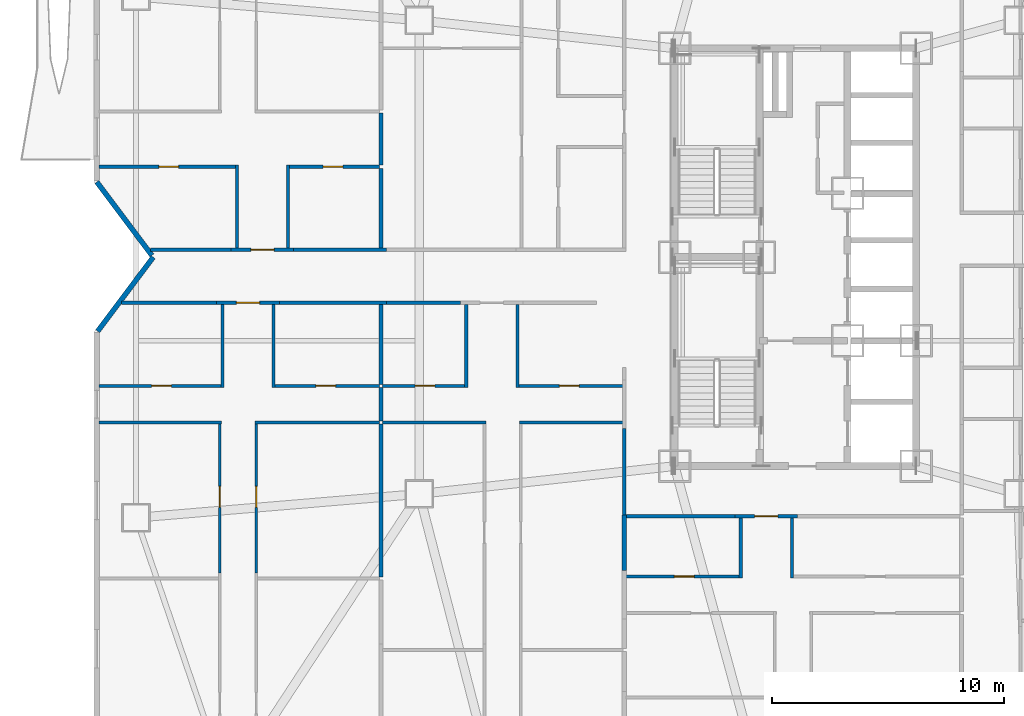
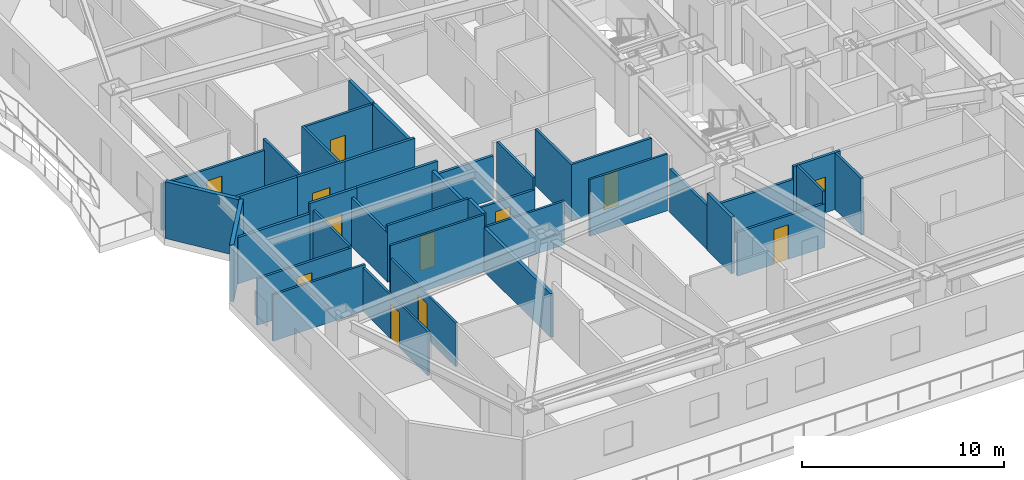
# One storey, part 10 of 18: 39 walls, 12 doors, 12 openings.
"""IFC4 building model written with IfcOpenShell, lengths in metres."""

from ifc_helpers import new_model, si_unit, direction, frame, frame_2d, origin, place, context, subcontext, project, spatial, rectangle, extrude, material, layer, layer_set, type_object, element, fill, save


model = new_model("IFC4")

# Units and contexts
model_context = context("Model", 3, precision=1e-05, world=origin(), true_north=direction((0.0, 1.0)))
body_context = subcontext(model_context, "Body", "Model", "MODEL_VIEW")
ifc_project = project(units=[si_unit("LENGTHUNIT", "METRE"), si_unit("AREAUNIT", "SQUARE_METRE"), si_unit("VOLUMEUNIT", "CUBIC_METRE"), si_unit("PLANEANGLEUNIT", "RADIAN"), si_unit("MASSUNIT", "GRAM", prefix="KILO")], contexts=[model_context])

# Site, building, storey
site_placement = place(None, origin())
site = spatial("IfcSite", under=ifc_project, at=site_placement, CompositionType="ELEMENT")
building_placement = place(site_placement, origin())
building = spatial("IfcBuilding", under=site, at=building_placement, Name="Khamvora Tower", CompositionType="ELEMENT")
storey_placement = place(building_placement, frame((0.0, 0.0, 33.300048828125)))
storey = spatial("IfcBuildingStorey", under=building, at=storey_placement, Name="L07", CompositionType="ELEMENT", Elevation=33.300048828125)

# Wall, opening, door
ifc_material_1 = material(Name="Fire-Rated Drywall and Steel Stud", Category="steel")
ifc_layer_1 = layer(ifc_material_1, 0.14990234375)
ifc_layer_set_1 = layer_set([ifc_layer_1], Name="Fire-Rated Drywall and Steel Stud")
wall_type_1 = type_object("IfcWallType", Name="WAL-CORR-150", PredefinedType="STANDARD", material=ifc_layer_set_1)
wall_1_placement = place(storey_placement, frame((11.97412109375, 26.034912109375, 0.0), z_axis=(0.0, 0.0, 1.0), x_axis=(-1.0, 0.0, 0.0)))
wall_1 = element("IfcWall", 1, at=wall_1_placement, inside=storey, type_object=wall_type_1, Name="L07 interior partition wall 004", PredefinedType="STANDARD", context=body_context, shape_type="SweptSolid", body=[
    extrude(rectangle(XDim=2.6982421875, YDim=0.14990234375, at=frame_2d((1.34912109375, 0.0))), origin(), (0.0, 0.0, 1.0), 3.429931640625),
])
opening_1_placement = place(wall_1_placement, frame((0.84912109375, 0.0, 0.0)))
opening_1 = element("IfcOpeningElement", 2, at=opening_1_placement, cuts=wall_1, Name="Opening D-U1", PredefinedType="OPENING", context=body_context, shape_type="SweptSolid", body=[
    extrude(rectangle(XDim=1.0, YDim=2.14990234375, at=frame_2d((0.5, 1.074951171875))), frame((0.0, 0.0849609375, 0.0), z_axis=(0.0, -1.0, 0.0), x_axis=(1.0, 0.0, 0.0)), (0.0, 0.0, 1.0), 0.169921875),
])
ifc_material_2 = material(Name="Powder-Coated Steel and Hardwood Leaf", Category="steel")
door_type_1 = type_object("IfcDoorType", Name="DOR-UNIT-1000", OperationType="NOTDEFINED", PredefinedType="DOOR", material=ifc_material_2)
door_1_placement = place(opening_1_placement, origin())
door_1 = element("IfcDoor", 3, at=door_1_placement, inside=storey, type_object=door_type_1, Name="L07 interior door COR-07WA1H", OperationType="SINGLE_SWING_RIGHT", OverallHeight=2.14990234375, OverallWidth=1.0, PredefinedType="DOOR", context=body_context, shape_type="SweptSolid", body=[
    extrude(rectangle(XDim=1.0, YDim=2.14990234375, at=frame_2d((0.5, 1.074951171875))), frame((0.0, 0.02490234375, 0.0), z_axis=(0.0, -1.0, 0.0), x_axis=(1.0, 0.0, 0.0)), (0.0, 0.0, 1.0), 0.050048828125),
])
fill(opening_1, door_1)

# Walls
wall_2_placement = place(storey_placement, frame((16.595947265625, 26.034912109375, 0.0), z_axis=(0.0, 0.0, 1.0), x_axis=(-1.0, 0.0, 0.0)))
element("IfcWall", 4, at=wall_2_placement, inside=storey, type_object=wall_type_1, Name="L07 interior partition wall 005", PredefinedType="STANDARD", context=body_context, shape_type="SweptSolid", body=[
    extrude(rectangle(XDim=4.621826171875, YDim=0.14990234375, at=frame_2d((2.31103515625, 0.0))), origin(), (0.0, 0.0, 1.0), 3.429931640625),
])
wall_3_placement = place(storey_placement, frame((9.27587890625, 26.034912109375, 0.0), z_axis=(0.0, 0.0, 1.0), x_axis=(-1.0, 0.0, 0.0)))
element("IfcWall", 5, at=wall_3_placement, inside=storey, type_object=wall_type_1, Name="L07 interior partition wall 006", PredefinedType="STANDARD", context=body_context, shape_type="SweptSolid", body=[
    extrude(rectangle(XDim=4.099853515625, YDim=0.14990234375, at=frame_2d((2.0498046875, 0.0))), origin(), (0.0, 0.0, 1.0), 2.802978515625),
])
wall_4_placement = place(storey_placement, frame((19.777099609375, 26.034912109375, 0.0), z_axis=(0.0, 0.0, 1.0), x_axis=(-1.0, 0.0, 0.0)))
element("IfcWall", 6, at=wall_4_placement, inside=storey, type_object=wall_type_1, Name="L07 interior partition wall 009", PredefinedType="STANDARD", context=body_context, shape_type="SweptSolid", body=[
    extrude(rectangle(XDim=3.18115234375, YDim=0.14990234375, at=frame_2d((1.590576171875, 0.0))), origin(), (0.0, 0.0, 1.0), 2.64697265625),
])
wall_5_placement = place(storey_placement, frame((26.8349609375, 16.89990234375, 0.0), z_axis=(0.0, 0.0, 1.0), x_axis=(0.0, 1.0, 0.0)))
element("IfcWall", 7, at=wall_5_placement, inside=storey, type_object=wall_type_1, Name="L07 interior partition wall 012", PredefinedType="STANDARD", context=body_context, shape_type="SweptSolid", body=[
    extrude(rectangle(XDim=3.72607421875, YDim=0.14990234375, at=frame_2d((1.863037109375, 0.0))), origin(), (0.0, 0.0, 1.0), 2.64697265625),
])

# Wall, opening, door
wall_6_placement = place(storey_placement, frame((9.89501953125, 28.31494140625, 0.0), z_axis=(0.0, 0.0, 1.0), x_axis=(1.0, 0.0, 0.0)))
wall_6 = element("IfcWall", 8, at=wall_6_placement, inside=storey, type_object=wall_type_1, Name="L07 interior partition wall 013", PredefinedType="STANDARD", context=body_context, shape_type="SweptSolid", body=[
    extrude(rectangle(XDim=2.697998046875, YDim=0.14990234375, at=frame_2d((1.34912109375, 0.0))), origin(), (0.0, 0.0, 1.0), 3.429931640625),
])
opening_2_placement = place(wall_6_placement, frame((0.84912109375, 0.0, 0.0)))
opening_2 = element("IfcOpeningElement", 9, at=opening_2_placement, cuts=wall_6, Name="Opening D-U1", PredefinedType="OPENING", context=body_context, shape_type="SweptSolid", body=[
    extrude(rectangle(XDim=1.0, YDim=2.14990234375, at=frame_2d((0.5, 1.074951171875))), frame((0.0, 0.0849609375, 0.0), z_axis=(0.0, -1.0, 0.0), x_axis=(1.0, 0.0, 0.0)), (0.0, 0.0, 1.0), 0.169921875),
])
door_2_placement = place(opening_2_placement, origin())
door_2 = element("IfcDoor", 10, at=door_2_placement, inside=storey, type_object=door_type_1, Name="L07 interior door COR-07WB1H", OperationType="SINGLE_SWING_RIGHT", OverallHeight=2.14990234375, OverallWidth=1.0, PredefinedType="DOOR", context=body_context, shape_type="SweptSolid", body=[
    extrude(rectangle(XDim=1.0, YDim=2.14990234375, at=frame_2d((0.5, 1.074951171875))), frame((0.0, 0.02490234375, 0.0), z_axis=(0.0, -1.0, 0.0), x_axis=(1.0, 0.0, 0.0)), (0.0, 0.0, 1.0), 0.050048828125),
])
fill(opening_2, door_2)

# Walls
wall_7_placement = place(storey_placement, frame((12.593017578125, 28.31494140625, 0.0), z_axis=(0.0, 0.0, 1.0), x_axis=(1.0, 0.0, 0.0)))
element("IfcWall", 11, at=wall_7_placement, inside=storey, type_object=wall_type_1, Name="L07 interior partition wall 014", PredefinedType="STANDARD", context=body_context, shape_type="SweptSolid", body=[
    extrude(rectangle(XDim=4.0029296875, YDim=0.14990234375, at=frame_2d((2.00146484375, 0.0))), origin(), (0.0, 0.0, 1.0), 3.429931640625),
])
wall_8_placement = place(storey_placement, frame((6.4130859375, 28.31494140625, 0.0), z_axis=(0.0, 0.0, 1.0), x_axis=(1.0, 0.0, 0.0)))
element("IfcWall", 12, at=wall_8_placement, inside=storey, type_object=wall_type_1, Name="L07 interior partition wall 015", PredefinedType="STANDARD", context=body_context, shape_type="SweptSolid", body=[
    extrude(rectangle(XDim=3.48193359375, YDim=0.14990234375, at=frame_2d((1.740966796875, 0.0))), origin(), (0.0, 0.0, 1.0), 3.429931640625),
])

# Wall, opening, door
wall_9_placement = place(storey_placement, frame((34.299072265625, 16.8349609375, 0.0), z_axis=(0.0, 0.0, 1.0), x_axis=(-1.0, 0.0, 0.0)))
wall_9 = element("IfcWall", 13, at=wall_9_placement, inside=storey, type_object=wall_type_1, Name="L07 interior partition wall 022", PredefinedType="STANDARD", context=body_context, shape_type="SweptSolid", body=[
    extrude(rectangle(XDim=2.697998046875, YDim=0.14990234375, at=frame_2d((1.34912109375, 0.0))), origin(), (0.0, 0.0, 1.0), 3.429931640625),
])
opening_3_placement = place(wall_9_placement, frame((0.84912109375, 0.0, 0.0)))
opening_3 = element("IfcOpeningElement", 14, at=opening_3_placement, cuts=wall_9, Name="Opening D-U1", PredefinedType="OPENING", context=body_context, shape_type="SweptSolid", body=[
    extrude(rectangle(XDim=1.0, YDim=2.14990234375, at=frame_2d((0.5, 1.074951171875))), frame((0.0, 0.0849609375, 0.0), z_axis=(0.0, -1.0, 0.0), x_axis=(1.0, 0.0, 0.0)), (0.0, 0.0, 1.0), 0.169921875),
])
door_3_placement = place(opening_3_placement, origin())
door_3 = element("IfcDoor", 15, at=door_3_placement, inside=storey, type_object=door_type_1, Name="L07 interior door COR-07SAH", OperationType="SINGLE_SWING_RIGHT", OverallHeight=2.14990234375, OverallWidth=1.0, PredefinedType="DOOR", context=body_context, shape_type="SweptSolid", body=[
    extrude(rectangle(XDim=1.0, YDim=2.14990234375, at=frame_2d((0.5, 1.074951171875))), frame((0.0, 0.02490234375, 0.0), z_axis=(0.0, -1.0, 0.0), x_axis=(1.0, 0.0, 0.0)), (0.0, 0.0, 1.0), 0.050048828125),
])
fill(opening_3, door_3)

# Walls
wall_10_placement = place(storey_placement, frame((31.60107421875, 16.8349609375, 0.0), z_axis=(0.0, 0.0, 1.0), x_axis=(-1.0, 0.0, 0.0)))
element("IfcWall", 16, at=wall_10_placement, inside=storey, type_object=wall_type_1, Name="L07 interior partition wall 023", PredefinedType="STANDARD", context=body_context, shape_type="SweptSolid", body=[
    extrude(rectangle(XDim=4.701171875, YDim=0.14990234375, at=frame_2d((2.3505859375, 0.0))), origin(), (0.0, 0.0, 1.0), 2.64697265625),
])
ifc_material_3 = material(Name="Acoustic Double-Stud Fire Wall", Category="gypsum")
ifc_layer_2 = layer(ifc_material_3, 0.179931640625)
ifc_layer_set_2 = layer_set([ifc_layer_2], Name="Acoustic Double-Stud Fire Wall")
wall_type_2 = type_object("IfcWallType", Name="WAL-CORR-180", PredefinedType="STANDARD", material=ifc_layer_set_2)
wall_11_placement = place(storey_placement, frame((16.345947265625, 22.389892578125, 0.0), z_axis=(0.0, 0.0, 1.0), x_axis=(0.0, -1.0, 0.0)))
element("IfcWall", 17, at=wall_11_placement, inside=storey, type_object=wall_type_2, Name="L07 interior partition wall 049", PredefinedType="STANDARD", context=body_context, shape_type="SweptSolid", body=[
    extrude(rectangle(XDim=1.449951171875, YDim=0.179931640625, at=frame_2d((0.72509765625, 0.0))), origin(), (0.0, 0.0, 1.0), 3.429931640625),
])
wall_12_placement = place(storey_placement, frame((16.345947265625, 25.969970703125, 0.0), z_axis=(0.0, 0.0, 1.0), x_axis=(0.0, -1.0, 0.0)))
element("IfcWall", 18, at=wall_12_placement, inside=storey, type_object=wall_type_2, Name="L07 interior partition wall 050", PredefinedType="STANDARD", context=body_context, shape_type="SweptSolid", body=[
    extrude(rectangle(XDim=3.449951171875, YDim=0.179931640625, at=frame_2d((1.72509765625, 0.0))), origin(), (0.0, 0.0, 1.0), 2.95703125),
])
wall_13_placement = place(storey_placement, frame((16.345947265625, 20.81005859375, 0.0), z_axis=(0.0, 0.0, 1.0), x_axis=(0.0, -1.0, 0.0)))
element("IfcWall", 19, at=wall_13_placement, inside=storey, type_object=wall_type_2, Name="L07 interior partition wall 055", PredefinedType="STANDARD", context=body_context, shape_type="SweptSolid", body=[
    extrude(rectangle(XDim=6.589111328125, YDim=0.179931640625, at=frame_2d((3.29443359375, 0.0))), origin(), (0.0, 0.0, 1.0), 2.64697265625),
])
wall_14_placement = place(storey_placement, frame((26.8349609375, 16.89990234375, 0.0), z_axis=(0.0, 0.0, 1.0), x_axis=(0.0, -1.0, 0.0)))
element("IfcWall", 20, at=wall_14_placement, inside=storey, type_object=wall_type_2, Name="L07 interior partition wall 071", PredefinedType="STANDARD", context=body_context, shape_type="SweptSolid", body=[
    extrude(rectangle(XDim=2.40478515625, YDim=0.179931640625, at=frame_2d((1.202392578125, 0.0))), origin(), (0.0, 0.0, 1.0), 3.429931640625),
])
wall_15_placement = place(storey_placement, frame((16.345947265625, 34.2099609375, 0.0), z_axis=(0.0, 0.0, 1.0), x_axis=(0.0, -1.0, 0.0)))
element("IfcWall", 21, at=wall_15_placement, inside=storey, type_object=wall_type_2, Name="L07 interior partition wall 083", PredefinedType="STANDARD", context=body_context, shape_type="SweptSolid", body=[
    extrude(rectangle(XDim=2.25, YDim=0.179931640625, at=frame_2d((1.125, 0.0))), origin(), (0.0, 0.0, 1.0), 3.429931640625),
])
wall_16_placement = place(storey_placement, frame((16.345947265625, 31.830078125, 0.0), z_axis=(0.0, 0.0, 1.0), x_axis=(0.0, -1.0, 0.0)))
element("IfcWall", 22, at=wall_16_placement, inside=storey, type_object=wall_type_2, Name="L07 interior partition wall 084", PredefinedType="STANDARD", context=body_context, shape_type="SweptSolid", body=[
    extrude(rectangle(XDim=3.447998046875, YDim=0.179931640625, at=frame_2d((1.72412109375, 0.0))), origin(), (0.0, 0.0, 1.0), 3.429931640625),
])
ifc_material_4 = material(Name="Precast concrete C40/50", Category="concrete")
ifc_layer_3 = layer(ifc_material_4, 0.219970703125)
ifc_layer_set_3 = layer_set([ifc_layer_3], Name="Precast concrete C40/50")
wall_type_3 = type_object("IfcWallType", Name="WAL-EXT-220", PredefinedType="STANDARD", material=ifc_layer_set_3)
wall_17_placement = place(storey_placement, frame((4.14501953125, 24.80908203125, 0.0), z_axis=(0.0, 0.0, 1.0), x_axis=(0.599823674734, 0.800132213592, 0.0)))
element("IfcWall", 23, at=wall_17_placement, inside=storey, type_object=wall_type_3, Name="L07 exterior facade wall 03.1", PredefinedType="STANDARD", context=body_context, shape_type="SweptSolid", body=[
    extrude(rectangle(XDim=3.988037109375, YDim=0.219970703125, at=frame_2d((1.994140625, 0.0))), origin(), (0.0, 0.0, 1.0), 3.429931640625),
])
wall_18_placement = place(storey_placement, frame((6.47998046875, 28.076904296875, 0.0), z_axis=(0.0, 0.0, 1.0), x_axis=(-0.599960442794, 0.800029666377, 0.0)))
element("IfcWall", 24, at=wall_18_placement, inside=storey, type_object=wall_type_3, Name="L07 exterior facade wall 04.1", PredefinedType="STANDARD", context=body_context, shape_type="SweptSolid", body=[
    extrude(rectangle(XDim=3.949951171875, YDim=0.219970703125, at=frame_2d((1.97509765625, 0.0))), origin(), (0.0, 0.0, 1.0), 3.429931640625),
])

# Wall, opening, door
ifc_material_5 = material(Name="Gypsum Plasterboard Partition", Category="gypsum")
ifc_layer_4 = layer(ifc_material_5, 0.1201171875)
ifc_layer_set_4 = layer_set([ifc_layer_4], Name="Gypsum Plasterboard Partition")
wall_type_4 = type_object("IfcWallType", Name="WAL-PART-120", PredefinedType="PARTITIONING", material=ifc_layer_set_4)
wall_19_placement = place(storey_placement, frame((9.410888671875, 14.405029296875, 0.0), z_axis=(0.0, 0.0, 1.0), x_axis=(0.0, 1.0, 0.0)))
wall_19 = element("IfcWall", 25, at=wall_19_placement, inside=storey, type_object=wall_type_4, Name="L07 interior partition wall 044", PredefinedType="PARTITIONING", context=body_context, shape_type="SweptSolid", body=[
    extrude(rectangle(XDim=6.534912109375, YDim=0.1201171875, at=frame_2d((3.267578125, 0.0))), origin(), (0.0, 0.0, 1.0), 2.64697265625),
])
opening_4_placement = place(wall_19_placement, frame((2.81689453125, 0.0, 0.0)))
opening_4 = element("IfcOpeningElement", 26, at=opening_4_placement, cuts=wall_19, Name="Opening D-RM1", PredefinedType="OPENING", context=body_context, shape_type="SweptSolid", body=[
    extrude(rectangle(XDim=0.89990234375, YDim=2.10009765625, at=frame_2d((0.449951171875, 1.050048828125))), frame((0.0, 0.070068359375, 0.0), z_axis=(0.0, -1.0, 0.0), x_axis=(1.0, 0.0, 0.0)), (0.0, 0.0, 1.0), 0.14013671875),
])
door_type_2 = type_object("IfcDoorType", Name="DOR-ROOM-900", OperationType="NOTDEFINED", PredefinedType="DOOR", material=ifc_material_2)
door_4_placement = place(opening_4_placement, origin())
door_4 = element("IfcDoor", 27, at=door_4_placement, inside=storey, type_object=door_type_2, Name="L07 interior door 07WA1H-07WA1R2", OperationType="SINGLE_SWING_LEFT", OverallHeight=2.10009765625, OverallWidth=0.89990234375, PredefinedType="DOOR", context=body_context, shape_type="SweptSolid", body=[
    extrude(rectangle(XDim=0.89990234375, YDim=2.10009765625, at=frame_2d((0.449951171875, 1.050048828125))), frame((0.0, 0.02490234375, 0.0), z_axis=(0.0, -1.0, 0.0), x_axis=(1.0, 0.0, 0.0)), (0.0, 0.0, 1.0), 0.050048828125),
])
fill(opening_4, door_4)

# Wall
wall_20_placement = place(storey_placement, frame((9.47607421875, 20.875, 0.0), z_axis=(0.0, 0.0, 1.0), x_axis=(-1.0, 0.0, 0.0)))
element("IfcWall", 28, at=wall_20_placement, inside=storey, type_object=wall_type_4, Name="L07 interior partition wall 045", PredefinedType="PARTITIONING", context=body_context, shape_type="SweptSolid", body=[
    extrude(rectangle(XDim=5.26416015625, YDim=0.1201171875, at=frame_2d((2.632080078125, 0.0))), origin(), (0.0, 0.0, 1.0), 2.802978515625),
])

# Wall, opening, door
wall_21_placement = place(storey_placement, frame((10.98095703125, 20.93994140625, 0.0), z_axis=(0.0, 0.0, 1.0), x_axis=(0.0, -1.0, 0.0)))
wall_21 = element("IfcWall", 29, at=wall_21_placement, inside=storey, type_object=wall_type_4, Name="L07 interior partition wall 047", PredefinedType="PARTITIONING", context=body_context, shape_type="SweptSolid", body=[
    extrude(rectangle(XDim=6.534912109375, YDim=0.1201171875, at=frame_2d((3.267578125, 0.0))), origin(), (0.0, 0.0, 1.0), 2.64697265625),
])
opening_5_placement = place(wall_21_placement, frame((2.81689453125, 0.0, 0.0)))
opening_5 = element("IfcOpeningElement", 30, at=opening_5_placement, cuts=wall_21, Name="Opening D-RM1", PredefinedType="OPENING", context=body_context, shape_type="SweptSolid", body=[
    extrude(rectangle(XDim=0.89990234375, YDim=2.10009765625, at=frame_2d((0.449951171875, 1.050048828125))), frame((0.0, 0.070068359375, 0.0), z_axis=(0.0, -1.0, 0.0), x_axis=(1.0, 0.0, 0.0)), (0.0, 0.0, 1.0), 0.14013671875),
])
door_5_placement = place(opening_5_placement, origin())
door_5 = element("IfcDoor", 31, at=door_5_placement, inside=storey, type_object=door_type_2, Name="L07 interior door 07WA1H-07WA1R4", OperationType="SINGLE_SWING_LEFT", OverallHeight=2.10009765625, OverallWidth=0.89990234375, PredefinedType="DOOR", context=body_context, shape_type="SweptSolid", body=[
    extrude(rectangle(XDim=0.89990234375, YDim=2.10009765625, at=frame_2d((0.449951171875, 1.050048828125))), frame((0.0, 0.02490234375, 0.0), z_axis=(0.0, -1.0, 0.0), x_axis=(1.0, 0.0, 0.0)), (0.0, 0.0, 1.0), 0.050048828125),
])
fill(opening_5, door_5)

# Walls
wall_22_placement = place(storey_placement, frame((16.281005859375, 20.875, 0.0), z_axis=(0.0, 0.0, 1.0), x_axis=(-1.0, 0.0, 0.0)))
element("IfcWall", 32, at=wall_22_placement, inside=storey, type_object=wall_type_4, Name="L07 interior partition wall 048", PredefinedType="PARTITIONING", context=body_context, shape_type="SweptSolid", body=[
    extrude(rectangle(XDim=5.364990234375, YDim=0.1201171875, at=frame_2d((2.6826171875, 0.0))), origin(), (0.0, 0.0, 1.0), 3.429931640625),
])
wall_23_placement = place(storey_placement, frame((20.87109375, 20.875, 0.0), z_axis=(0.0, 0.0, 1.0), x_axis=(-1.0, 0.0, 0.0)))
element("IfcWall", 33, at=wall_23_placement, inside=storey, type_object=wall_type_4, Name="L07 interior partition wall 062", PredefinedType="PARTITIONING", context=body_context, shape_type="SweptSolid", body=[
    extrude(rectangle(XDim=4.460205078125, YDim=0.1201171875, at=frame_2d((2.22998046875, 0.0))), origin(), (0.0, 0.0, 1.0), 2.64697265625),
])
wall_24_placement = place(storey_placement, frame((26.77001953125, 20.875, 0.0), z_axis=(0.0, 0.0, 1.0), x_axis=(-1.0, 0.0, 0.0)))
element("IfcWall", 34, at=wall_24_placement, inside=storey, type_object=wall_type_4, Name="L07 interior partition wall 064", PredefinedType="PARTITIONING", context=body_context, shape_type="SweptSolid", body=[
    extrude(rectangle(XDim=4.458984375, YDim=0.1201171875, at=frame_2d((2.2294921875, 0.0))), origin(), (0.0, 0.0, 1.0), 3.429931640625),
])
ifc_material_6 = material(Name="Moisture-Resistant Plasterboard Partition", Category="gypsum")
ifc_layer_5 = layer(ifc_material_6, 0.135009765625)
ifc_layer_set_5 = layer_set([ifc_layer_5], Name="Moisture-Resistant Plasterboard Partition")
wall_type_5 = type_object("IfcWallType", Name="WAL-WET-135", PredefinedType="PARTITIONING", material=ifc_layer_set_5)
wall_25_placement = place(storey_placement, frame((11.72509765625, 25.969970703125, 0.0), z_axis=(0.0, 0.0, 1.0), x_axis=(0.0, -1.0, 0.0)))
element("IfcWall", 35, at=wall_25_placement, inside=storey, type_object=wall_type_5, Name="L07 interior partition wall 039", PredefinedType="PARTITIONING", context=body_context, shape_type="SweptSolid", body=[
    extrude(rectangle(XDim=3.580078125, YDim=0.135009765625, at=frame_2d((1.7900390625, 0.0))), origin(), (0.0, 0.0, 1.0), 2.95703125),
])

# Wall, opening, door
wall_26_placement = place(storey_placement, frame((11.659912109375, 22.455078125, 0.0), z_axis=(0.0, 0.0, 1.0), x_axis=(1.0, 0.0, 0.0)))
wall_26 = element("IfcWall", 36, at=wall_26_placement, inside=storey, type_object=wall_type_5, Name="L07 interior partition wall 040", PredefinedType="PARTITIONING", context=body_context, shape_type="SweptSolid", body=[
    extrude(rectangle(XDim=4.62109375, YDim=0.135009765625, at=frame_2d((2.310546875, 0.0))), origin(), (0.0, 0.0, 1.0), 3.429931640625),
])
opening_6_placement = place(wall_26_placement, frame((1.885986328125, 0.0, 0.0)))
opening_6 = element("IfcOpeningElement", 37, at=opening_6_placement, cuts=wall_26, Name="Opening D-WC1", PredefinedType="OPENING", context=body_context, shape_type="SweptSolid", body=[
    extrude(rectangle(XDim=0.85009765625, YDim=2.10009765625, at=frame_2d((0.425048828125, 1.050048828125))), frame((0.0, 0.077392578125, 0.0), z_axis=(0.0, -1.0, 0.0), x_axis=(1.0, 0.0, 0.0)), (0.0, 0.0, 1.0), 0.155029296875),
])
door_type_3 = type_object("IfcDoorType", Name="DOR-WET-850", OperationType="NOTDEFINED", PredefinedType="DOOR", material=ifc_material_2)
door_6_placement = place(opening_6_placement, origin())
door_6 = element("IfcDoor", 38, at=door_6_placement, inside=storey, type_object=door_type_3, Name="L07 interior door 07WA1H-07WA1B", OperationType="SINGLE_SWING_RIGHT", OverallHeight=2.10009765625, OverallWidth=0.85009765625, PredefinedType="DOOR", context=body_context, shape_type="SweptSolid", body=[
    extrude(rectangle(XDim=0.85009765625, YDim=2.10009765625, at=frame_2d((0.425048828125, 1.050048828125))), frame((0.0, 0.02490234375, 0.0), z_axis=(0.0, -1.0, 0.0), x_axis=(1.0, 0.0, 0.0)), (0.0, 0.0, 1.0), 0.050048828125),
])
fill(opening_6, door_6)

wall_27_placement = place(storey_placement, frame((4.2119140625, 22.455078125, 0.0), z_axis=(0.0, 0.0, 1.0), x_axis=(1.0, 0.0, 0.0)))
wall_27 = element("IfcWall", 39, at=wall_27_placement, inside=storey, type_object=wall_type_5, Name="L07 interior partition wall 041", PredefinedType="PARTITIONING", context=body_context, shape_type="SweptSolid", body=[
    extrude(rectangle(XDim=5.378173828125, YDim=0.135009765625, at=frame_2d((2.68896484375, 0.0))), origin(), (0.0, 0.0, 1.0), 2.802978515625),
])
opening_7_placement = place(wall_27_placement, frame((2.263916015625, 0.0, 0.0)))
opening_7 = element("IfcOpeningElement", 40, at=opening_7_placement, cuts=wall_27, Name="Opening D-RM2", PredefinedType="OPENING", context=body_context, shape_type="SweptSolid", body=[
    extrude(rectangle(XDim=0.85009765625, YDim=2.10009765625, at=frame_2d((0.425048828125, 1.050048828125))), frame((0.0, 0.077392578125, 0.0), z_axis=(0.0, -1.0, 0.0), x_axis=(1.0, 0.0, 0.0)), (0.0, 0.0, 1.0), 0.155029296875),
])
door_type_4 = type_object("IfcDoorType", Name="DOR-ROOM-850", OperationType="NOTDEFINED", PredefinedType="DOOR", material=ifc_material_2)
door_7_placement = place(opening_7_placement, origin())
door_7 = element("IfcDoor", 41, at=door_7_placement, inside=storey, type_object=door_type_4, Name="L07 interior door 07WA1H-07WA1K", OperationType="SINGLE_SWING_LEFT", OverallHeight=2.10009765625, OverallWidth=0.85009765625, PredefinedType="DOOR", context=body_context, shape_type="SweptSolid", body=[
    extrude(rectangle(XDim=0.85009765625, YDim=2.10009765625, at=frame_2d((0.425048828125, 1.050048828125))), frame((0.0, 0.02490234375, 0.0), z_axis=(0.0, -1.0, 0.0), x_axis=(1.0, 0.0, 0.0)), (0.0, 0.0, 1.0), 0.050048828125),
])
fill(opening_7, door_7)

# Wall
wall_28_placement = place(storey_placement, frame((9.52490234375, 22.389892578125, 0.0), z_axis=(0.0, 0.0, 1.0), x_axis=(0.0, 1.0, 0.0)))
element("IfcWall", 42, at=wall_28_placement, inside=storey, type_object=wall_type_5, Name="L07 interior partition wall 042", PredefinedType="PARTITIONING", context=body_context, shape_type="SweptSolid", body=[
    extrude(rectangle(XDim=3.580078125, YDim=0.135009765625, at=frame_2d((1.7900390625, 0.0))), origin(), (0.0, 0.0, 1.0), 2.95703125),
])

# Wall, opening, door
wall_29_placement = place(storey_placement, frame((16.410888671875, 22.455078125, 0.0), z_axis=(0.0, 0.0, 1.0), x_axis=(1.0, 0.0, 0.0)))
wall_29 = element("IfcWall", 43, at=wall_29_placement, inside=storey, type_object=wall_type_5, Name="L07 interior partition wall 056", PredefinedType="PARTITIONING", context=body_context, shape_type="SweptSolid", body=[
    extrude(rectangle(XDim=3.68017578125, YDim=0.135009765625, at=frame_2d((1.840087890625, 0.0))), origin(), (0.0, 0.0, 1.0), 2.64697265625),
])
opening_8_placement = place(wall_29_placement, frame((1.4150390625, 0.0, 0.0)))
opening_8 = element("IfcOpeningElement", 44, at=opening_8_placement, cuts=wall_29, Name="Opening D-WC1", PredefinedType="OPENING", context=body_context, shape_type="SweptSolid", body=[
    extrude(rectangle(XDim=0.85009765625, YDim=2.10009765625, at=frame_2d((0.425048828125, 1.050048828125))), frame((0.0, 0.077392578125, 0.0), z_axis=(0.0, -1.0, 0.0), x_axis=(1.0, 0.0, 0.0)), (0.0, 0.0, 1.0), 0.155029296875),
])
door_8_placement = place(opening_8_placement, origin())
door_8 = element("IfcDoor", 45, at=door_8_placement, inside=storey, type_object=door_type_3, Name="L07 interior door 07WA2H-07WA2B", OperationType="SINGLE_SWING_RIGHT", OverallHeight=2.10009765625, OverallWidth=0.85009765625, PredefinedType="DOOR", context=body_context, shape_type="SweptSolid", body=[
    extrude(rectangle(XDim=0.85009765625, YDim=2.10009765625, at=frame_2d((0.425048828125, 1.050048828125))), frame((0.0, 0.02490234375, 0.0), z_axis=(0.0, -1.0, 0.0), x_axis=(1.0, 0.0, 0.0)), (0.0, 0.0, 1.0), 0.050048828125),
])
fill(opening_8, door_8)

# Walls
for number, where, z_axis, x_axis, name in (
    (46, (20.02587890625, 22.389892578125, 0.0), (0.0, 0.0, 1.0), (0.0, 1.0, 0.0), "L07 interior partition wall 057"),
    (47, (22.22607421875, 25.969970703125, 0.0), (0.0, 0.0, 1.0), (0.0, -1.0, 0.0), "L07 interior partition wall 058"),
):
    element("IfcWall", number, at=place(storey_placement, frame(where, z_axis=z_axis, x_axis=x_axis)), inside=storey, type_object=wall_type_5, Name=name, PredefinedType="PARTITIONING", context=body_context, shape_type="SweptSolid", body=[
        extrude(rectangle(XDim=3.580078125, YDim=0.135009765625, at=frame_2d((1.7900390625, 0.0))), origin(), (0.0, 0.0, 1.0), 3.429931640625),
    ])

# Wall, opening, door
wall_30_placement = place(storey_placement, frame((22.160888671875, 22.455078125, 0.0), z_axis=(0.0, 0.0, 1.0), x_axis=(1.0, 0.0, 0.0)))
wall_30 = element("IfcWall", 48, at=wall_30_placement, inside=storey, type_object=wall_type_5, Name="L07 interior partition wall 059", PredefinedType="PARTITIONING", context=body_context, shape_type="SweptSolid", body=[
    extrude(rectangle(XDim=4.609130859375, YDim=0.135009765625, at=frame_2d((2.3046875, 0.0))), origin(), (0.0, 0.0, 1.0), 3.429931640625),
])
opening_9_placement = place(wall_30_placement, frame((1.87890625, 0.0, 0.0)))
opening_9 = element("IfcOpeningElement", 49, at=opening_9_placement, cuts=wall_30, Name="Opening D-RM2", PredefinedType="OPENING", context=body_context, shape_type="SweptSolid", body=[
    extrude(rectangle(XDim=0.85009765625, YDim=2.10009765625, at=frame_2d((0.425048828125, 1.050048828125))), frame((0.0, 0.077392578125, 0.0), z_axis=(0.0, -1.0, 0.0), x_axis=(1.0, 0.0, 0.0)), (0.0, 0.0, 1.0), 0.155029296875),
])
door_9_placement = place(opening_9_placement, origin())
door_9 = element("IfcDoor", 50, at=door_9_placement, inside=storey, type_object=door_type_4, Name="L07 interior door 07WA2H-07WA2K", OperationType="SINGLE_SWING_LEFT", OverallHeight=2.10009765625, OverallWidth=0.85009765625, PredefinedType="DOOR", context=body_context, shape_type="SweptSolid", body=[
    extrude(rectangle(XDim=0.85009765625, YDim=2.10009765625, at=frame_2d((0.425048828125, 1.050048828125))), frame((0.0, 0.02490234375, 0.0), z_axis=(0.0, -1.0, 0.0), x_axis=(1.0, 0.0, 0.0)), (0.0, 0.0, 1.0), 0.050048828125),
])
fill(opening_9, door_9)

wall_31_placement = place(storey_placement, frame((16.281005859375, 31.89501953125, 0.0), z_axis=(0.0, 0.0, 1.0), x_axis=(-1.0, 0.0, 0.0)))
wall_31 = element("IfcWall", 51, at=wall_31_placement, inside=storey, type_object=wall_type_5, Name="L07 interior partition wall 073", PredefinedType="PARTITIONING", context=body_context, shape_type="SweptSolid", body=[
    extrude(rectangle(XDim=4.001953125, YDim=0.135009765625, at=frame_2d((2.0009765625, 0.0))), origin(), (0.0, 0.0, 1.0), 3.429931640625),
])
opening_10_placement = place(wall_31_placement, frame((1.575927734375, 0.0, 0.0)))
opening_10 = element("IfcOpeningElement", 52, at=opening_10_placement, cuts=wall_31, Name="Opening D-WC1", PredefinedType="OPENING", context=body_context, shape_type="SweptSolid", body=[
    extrude(rectangle(XDim=0.85009765625, YDim=2.10009765625, at=frame_2d((0.425048828125, 1.050048828125))), frame((0.0, 0.077392578125, 0.0), z_axis=(0.0, -1.0, 0.0), x_axis=(1.0, 0.0, 0.0)), (0.0, 0.0, 1.0), 0.155029296875),
])
door_10_placement = place(opening_10_placement, origin())
door_10 = element("IfcDoor", 53, at=door_10_placement, inside=storey, type_object=door_type_3, Name="L07 interior door 07WB1H-07WB1B", OperationType="SINGLE_SWING_RIGHT", OverallHeight=2.10009765625, OverallWidth=0.85009765625, PredefinedType="DOOR", context=body_context, shape_type="SweptSolid", body=[
    extrude(rectangle(XDim=0.85009765625, YDim=2.10009765625, at=frame_2d((0.425048828125, 1.050048828125))), frame((0.0, 0.02490234375, 0.0), z_axis=(0.0, -1.0, 0.0), x_axis=(1.0, 0.0, 0.0)), (0.0, 0.0, 1.0), 0.050048828125),
])
fill(opening_10, door_10)

# Walls
for number, where, z_axis, x_axis, name in (
    (54, (12.343994140625, 31.9599609375, 0.0), (0.0, 0.0, 1.0), (0.0, -1.0, 0.0), "L07 interior partition wall 074"),
    (55, (10.14404296875, 28.382080078125, 0.0), (0.0, 0.0, 1.0), (0.0, 1.0, 0.0), "L07 interior partition wall 075"),
):
    element("IfcWall", number, at=place(storey_placement, frame(where, z_axis=z_axis, x_axis=x_axis)), inside=storey, type_object=wall_type_5, Name=name, PredefinedType="PARTITIONING", context=body_context, shape_type="SweptSolid", body=[
        extrude(rectangle(XDim=3.577880859375, YDim=0.135009765625, at=frame_2d((1.7890625, 0.0))), origin(), (0.0, 0.0, 1.0), 3.429931640625),
    ])

# Wall, opening, door
wall_32_placement = place(storey_placement, frame((10.208984375, 31.89501953125, 0.0), z_axis=(0.0, 0.0, 1.0), x_axis=(-1.0, 0.0, 0.0)))
wall_32 = element("IfcWall", 56, at=wall_32_placement, inside=storey, type_object=wall_type_5, Name="L07 interior partition wall 076", PredefinedType="PARTITIONING", context=body_context, shape_type="SweptSolid", body=[
    extrude(rectangle(XDim=5.9970703125, YDim=0.135009765625, at=frame_2d((2.99853515625, 0.0))), origin(), (0.0, 0.0, 1.0), 2.802978515625),
])
opening_11_placement = place(wall_32_placement, frame((2.573974609375, 0.0, 0.0)))
opening_11 = element("IfcOpeningElement", 57, at=opening_11_placement, cuts=wall_32, Name="Opening D-RM2", PredefinedType="OPENING", context=body_context, shape_type="SweptSolid", body=[
    extrude(rectangle(XDim=0.85009765625, YDim=2.10009765625, at=frame_2d((0.425048828125, 1.050048828125))), frame((0.0, 0.077392578125, 0.0), z_axis=(0.0, -1.0, 0.0), x_axis=(1.0, 0.0, 0.0)), (0.0, 0.0, 1.0), 0.155029296875),
])
door_11_placement = place(opening_11_placement, origin())
door_11 = element("IfcDoor", 58, at=door_11_placement, inside=storey, type_object=door_type_4, Name="L07 interior door 07WB1H-07WB1K", OperationType="SINGLE_SWING_LEFT", OverallHeight=2.10009765625, OverallWidth=0.85009765625, PredefinedType="DOOR", context=body_context, shape_type="SweptSolid", body=[
    extrude(rectangle(XDim=0.85009765625, YDim=2.10009765625, at=frame_2d((0.425048828125, 1.050048828125))), frame((0.0, 0.02490234375, 0.0), z_axis=(0.0, -1.0, 0.0), x_axis=(1.0, 0.0, 0.0)), (0.0, 0.0, 1.0), 0.050048828125),
])
fill(opening_11, door_11)

wall_33_placement = place(storey_placement, frame((26.9169921875, 14.24609375, 0.0), z_axis=(0.0, 0.0, 1.0), x_axis=(1.0, 0.0, 0.0)))
wall_33 = element("IfcWall", 59, at=wall_33_placement, inside=storey, type_object=wall_type_5, Name="L07 interior partition wall 106", PredefinedType="PARTITIONING", context=body_context, shape_type="SweptSolid", body=[
    extrude(rectangle(XDim=4.998046875, YDim=0.135009765625, at=frame_2d((2.4990234375, 0.0))), origin(), (0.0, 0.0, 1.0), 2.64697265625),
])
opening_12_placement = place(wall_33_placement, frame((2.073974609375, 0.0, 0.0)))
opening_12 = element("IfcOpeningElement", 60, at=opening_12_placement, cuts=wall_33, Name="Opening D-WC1", PredefinedType="OPENING", context=body_context, shape_type="SweptSolid", body=[
    extrude(rectangle(XDim=0.85009765625, YDim=2.10009765625, at=frame_2d((0.425048828125, 1.050048828125))), frame((0.0, 0.077392578125, 0.0), z_axis=(0.0, -1.0, 0.0), x_axis=(1.0, 0.0, 0.0)), (0.0, 0.0, 1.0), 0.155029296875),
])
door_12_placement = place(opening_12_placement, origin())
door_12 = element("IfcDoor", 61, at=door_12_placement, inside=storey, type_object=door_type_3, Name="L07 interior door 07SAH-07SAB", OperationType="SINGLE_SWING_LEFT", OverallHeight=2.10009765625, OverallWidth=0.85009765625, PredefinedType="DOOR", context=body_context, shape_type="SweptSolid", body=[
    extrude(rectangle(XDim=0.85009765625, YDim=2.10009765625, at=frame_2d((0.425048828125, 1.050048828125))), frame((0.0, 0.02490234375, 0.0), z_axis=(0.0, -1.0, 0.0), x_axis=(1.0, 0.0, 0.0)), (0.0, 0.0, 1.0), 0.050048828125),
])
fill(opening_12, door_12)

# Walls
for number, where, z_axis, x_axis, name in (
    (62, (31.85009765625, 14.180908203125, 0.0), (0.0, 0.0, 1.0), (0.0, 1.0, 0.0), "L07 interior partition wall 107"),
    (63, (34.050048828125, 16.77001953125, 0.0), (0.0, 0.0, 1.0), (0.0, -1.0, 0.0), "L07 interior partition wall 108"),
):
    element("IfcWall", number, at=place(storey_placement, frame(where, z_axis=z_axis, x_axis=x_axis)), inside=storey, type_object=wall_type_5, Name=name, PredefinedType="PARTITIONING", context=body_context, shape_type="SweptSolid", body=[
        extrude(rectangle(XDim=2.589111328125, YDim=0.135009765625, at=frame_2d((1.29443359375, 0.0))), origin(), (0.0, 0.0, 1.0), 3.429931640625),
    ])

save(model, "model.ifc")
